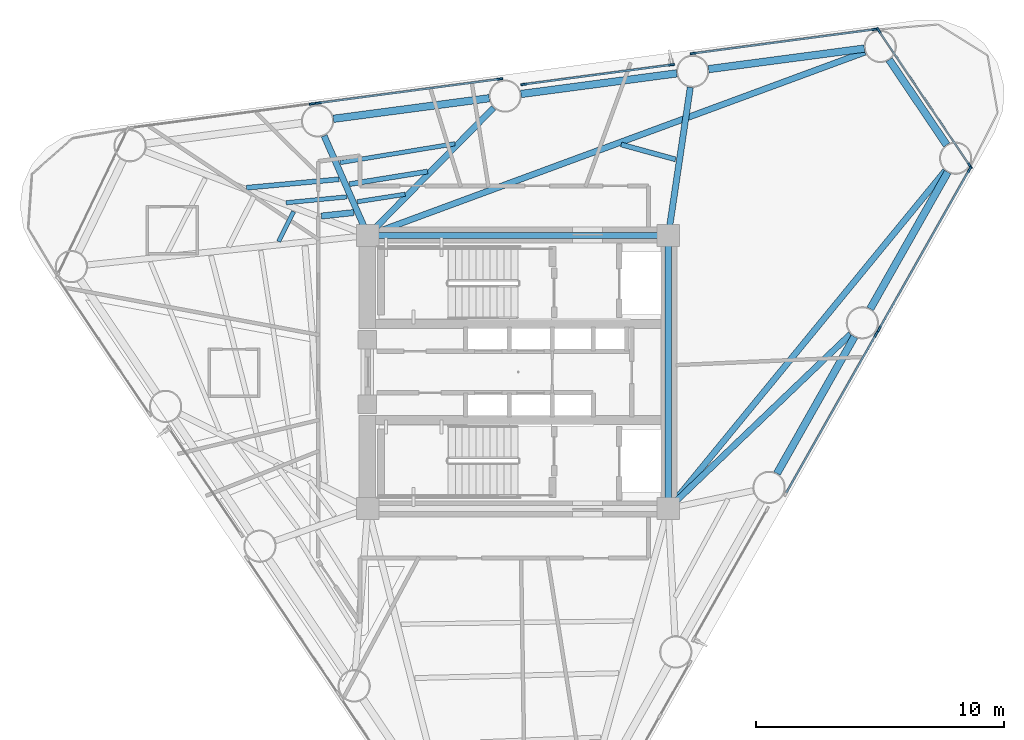
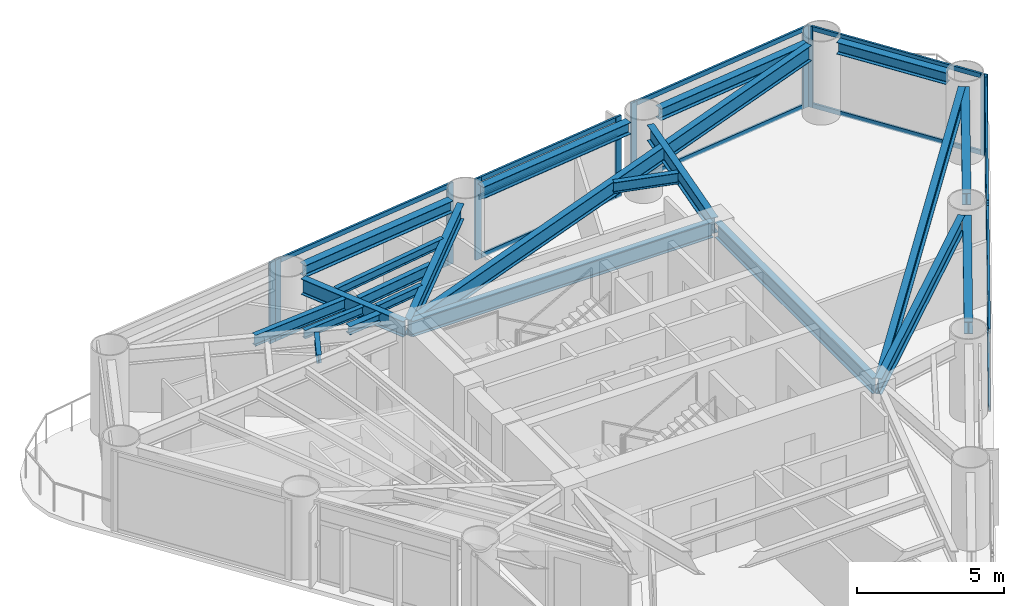
# One storey, part 3 of 10: 25 members, 22 beams, 7 elements without a shape of their own.
"""IFC4 building model written with IfcOpenShell, lengths in metres."""

from ifc_helpers import new_model, si_unit, direction, frame, origin, origin_2d, place, context, subcontext, project, spatial, rectangle, i_section, extrude, source, transform, mapped, material, layer, layer_set, material_profile, profile_set, type_object, element, aggregate, save


model = new_model("IFC4")

# Units and contexts
model_context = context("Model", 3, precision=1e-05, world=origin(), true_north=direction((0.0, 1.0)))
body_context = subcontext(model_context, "Body", "Model", "MODEL_VIEW")
ifc_project = project(units=[si_unit("LENGTHUNIT", "METRE"), si_unit("AREAUNIT", "SQUARE_METRE"), si_unit("VOLUMEUNIT", "CUBIC_METRE"), si_unit("PLANEANGLEUNIT", "RADIAN"), si_unit("MASSUNIT", "GRAM", prefix="KILO")], contexts=[model_context])

# Site, building, storey
site_placement = place(None, origin())
site = spatial("IfcSite", under=ifc_project, at=site_placement, CompositionType="ELEMENT")
building_placement = place(site_placement, origin())
building = spatial("IfcBuilding", under=site, at=building_placement, Name="Yunling Apex Tower", CompositionType="ELEMENT")
storey_placement = place(building_placement, frame((0.0, 0.0, 158.75)))
storey = spatial("IfcBuildingStorey", under=building, at=storey_placement, Name="L38", CompositionType="ELEMENT", Elevation=158.75)

# Beams
ifc_material_1 = material(Name="Steel Q355B", Category="steel")
ifc_material_profile_1 = material_profile(ifc_material_1, i_section(OverallWidth=0.25, OverallDepth=0.64990234375, WebThickness=0.011962890625, FlangeThickness=0.02001953125, FilletRadius=0.02392578125, at=origin_2d()))
ifc_profile_set_1 = profile_set([ifc_material_profile_1], Name="Steel Q355B")
beam_type_1 = type_object("IfcBeamType", Name="BG-PRI-4", PredefinedType="USERDEFINED", material=ifc_profile_set_1)
shared_shape_1 = source(origin(), body_context, "Body", "SweptSolid", [
    extrude(i_section(OverallWidth=0.25, OverallDepth=0.64990234375, WebThickness=0.011962890625, FlangeThickness=0.02001953125, FilletRadius=0.02392578125, at=origin_2d()), origin(), (0.0, 0.0, 1.0), 11.7998046875),
])
beam_1_placement = place(storey_placement, frame((5.89990234375, 5.5, 2.945068359375), z_axis=(-1.0, 0.0, 0.0), x_axis=(0.0, -1.0, 0.0)))
element("IfcBeam", 1, at=beam_1_placement, inside=storey, type_object=beam_type_1, Name="L38 Core Ring Tie Beam 3", ObjectType="GIRDER", PredefinedType="USERDEFINED", context=body_context, shape_type="MappedRepresentation", body=[
    mapped(shared_shape_1, transform((0.0, 0.0, 0.0), scale=1.0)),
])
shared_shape_2 = source(origin(), body_context, "Body", "SweptSolid", [
    extrude(i_section(OverallWidth=0.25, OverallDepth=0.64990234375, WebThickness=0.011962890625, FlangeThickness=0.02001953125, FilletRadius=0.02392578125, at=origin_2d()), origin(), (0.0, 0.0, 1.0), 10.7001953125),
])
beam_2_placement = place(storey_placement, frame((6.050048828125, -5.35009765625, 2.945068359375), z_axis=(0.0, 1.0, 0.0), x_axis=(-1.0, 0.0, 0.0)))
element("IfcBeam", 2, at=beam_2_placement, inside=storey, type_object=beam_type_1, Name="L38 Core Ring Tie Beam 2", ObjectType="GIRDER", PredefinedType="USERDEFINED", context=body_context, shape_type="MappedRepresentation", body=[
    mapped(shared_shape_2, transform((0.0, 0.0, 0.0), scale=1.0)),
])
ifc_material_profile_2 = material_profile(ifc_material_1, i_section(OverallWidth=0.300048828125, OverallDepth=0.489990234375, WebThickness=0.010986328125, FlangeThickness=0.01806640625, FilletRadius=0.02197265625, at=origin_2d()))
ifc_profile_set_2 = profile_set([ifc_material_profile_2], Name="Steel Q355B")
beam_type_2 = type_object("IfcBeamType", Name="BP-SPN-2", PredefinedType="SPANDREL", material=ifc_profile_set_2)
shared_shape_3 = source(origin(), body_context, "Body", "SweptSolid", [
    extrude(i_section(OverallWidth=0.300048828125, OverallDepth=0.489990234375, WebThickness=0.010986328125, FlangeThickness=0.01806640625, FilletRadius=0.02197265625, at=origin_2d()), origin(), (0.0, 0.0, 1.0), 6.332763671875),
])
beam_3_placement = place(storey_placement, frame((10.426513671875, -4.087646484375, 3.02490234375), z_axis=(0.493042725972, 0.870005097897, 0.0), x_axis=(-0.870005097897, 0.493042725972, 0.0)))
element("IfcBeam", 3, at=beam_3_placement, inside=storey, type_object=beam_type_2, Name="L38 Perimeter Spandrel Beam 3", PredefinedType="SPANDREL", context=body_context, shape_type="MappedRepresentation", body=[
    mapped(shared_shape_3, transform((0.0, 0.0, 0.0), scale=1.0)),
])
shared_shape_4 = source(origin(), body_context, "Body", "SweptSolid", [
    extrude(i_section(OverallWidth=0.300048828125, OverallDepth=0.489990234375, WebThickness=0.010986328125, FlangeThickness=0.01806640625, FilletRadius=0.02197265625, at=origin_2d()), origin(), (0.0, 0.0, 1.0), 6.33251953125),
])
for number, where, z_axis, x_axis, name in (
    (4, (14.183837890625, 2.54248046875, 3.02490234375), (0.493030081742, 0.870012263418, 0.0), (-0.870012263418, 0.493030081742, 0.0), "L38 Perimeter Spandrel Beam 4"),
    (5, (13.948486328125, 13.029541015625, 3.02490234375), (-0.991351373324, -0.131234349957, 0.0), (0.131234349957, -0.991351373324, 0.0), "L38 Perimeter Spandrel Beam 6"),
    (6, (6.393798828125, 12.029541015625, 3.02490234375), (-0.991351373324, -0.131234349957, 0.0), (0.131234349957, -0.991351373324, 0.0), "L38 Perimeter Spandrel Beam 7"),
    (7, (-1.160888671875, 11.029541015625, 3.02490234375), (-0.991356388343, -0.131196460665, 0.0), (0.131196460665, -0.991356388343, 0.0), "L38 Perimeter Spandrel Beam 8"),
):
    element("IfcBeam", number, at=place(storey_placement, frame(where, z_axis=z_axis, x_axis=x_axis)), inside=storey, type_object=beam_type_2, Name=name, PredefinedType="SPANDREL", context=body_context, shape_type="MappedRepresentation", body=[
        mapped(shared_shape_4, transform((0.0, 0.0, 0.0), scale=1.0)),
    ])
shared_shape_5 = source(origin(), body_context, "Body", "SweptSolid", [
    extrude(i_section(OverallWidth=0.300048828125, OverallDepth=0.489990234375, WebThickness=0.010986328125, FlangeThickness=0.01806640625, FilletRadius=0.02197265625, at=origin_2d()), origin(), (0.0, 0.0, 1.0), 4.142333984375),
])
beam_4_placement = place(storey_placement, frame((17.263427734375, 9.14599609375, 3.02490234375), z_axis=(-0.559207616177, 0.829027648519, 0.0), x_axis=(-0.829027648519, -0.559207616177, 0.0)))
element("IfcBeam", 8, at=beam_4_placement, inside=storey, type_object=beam_type_2, Name="L38 Perimeter Spandrel Beam 5", PredefinedType="SPANDREL", context=body_context, shape_type="MappedRepresentation", body=[
    mapped(shared_shape_5, transform((0.0, 0.0, 0.0), scale=1.0)),
])
shared_shape_6 = source(origin(), body_context, "Body", "SweptSolid", [
    extrude(i_section(OverallWidth=0.25, OverallDepth=0.64990234375, WebThickness=0.011962890625, FlangeThickness=0.02001953125, FilletRadius=0.02392578125, at=origin_2d()), origin(), (0.0, 0.0, 1.0), 10.08203125),
])
beam_5_placement = place(storey_placement, frame((13.39111328125, 1.527099609375, 2.945068359375), z_axis=(-0.722387273854, -0.691488703143, 0.0), x_axis=(0.691488703143, -0.722387273854, 0.0)))
element("IfcBeam", 9, at=beam_5_placement, inside=storey, type_object=beam_type_1, Name="L38 Radial Primary Girder R04", ObjectType="GIRDER", PredefinedType="USERDEFINED", context=body_context, shape_type="MappedRepresentation", body=[
    mapped(shared_shape_6, transform((0.0, 0.0, 0.0), scale=1.0)),
])
shared_shape_7 = source(origin(), body_context, "Body", "SweptSolid", [
    extrude(i_section(OverallWidth=0.25, OverallDepth=0.64990234375, WebThickness=0.011962890625, FlangeThickness=0.02001953125, FilletRadius=0.02392578125, at=origin_2d()), origin(), (0.0, 0.0, 1.0), 17.512939453125),
])
beam_6_placement = place(storey_placement, frame((17.206298828125, 8.103271484375, 2.945068359375), z_axis=(-0.634143770781, -0.773215156331, 0.0), x_axis=(0.773215156331, -0.634143770781, 0.0)))
element("IfcBeam", 10, at=beam_6_placement, inside=storey, type_object=beam_type_1, Name="L38 Radial Primary Girder R05", ObjectType="GIRDER", PredefinedType="USERDEFINED", context=body_context, shape_type="MappedRepresentation", body=[
    mapped(shared_shape_7, transform((0.0, 0.0, 0.0), scale=1.0)),
])
shared_shape_8 = source(origin(), body_context, "Body", "SweptSolid", [
    extrude(i_section(OverallWidth=0.25, OverallDepth=0.64990234375, WebThickness=0.011962890625, FlangeThickness=0.02001953125, FilletRadius=0.02392578125, at=origin_2d()), origin(), (0.0, 0.0, 1.0), 21.258544921875),
])
beam_7_placement = place(storey_placement, frame((13.969482421875, 12.88623046875, 2.945068359375), z_axis=(-0.938179289615, -0.346149708274, 0.0), x_axis=(0.346149708274, -0.938179289615, 0.0)))
element("IfcBeam", 11, at=beam_7_placement, inside=storey, type_object=beam_type_1, Name="L38 Radial Primary Girder R06", ObjectType="GIRDER", PredefinedType="USERDEFINED", context=body_context, shape_type="MappedRepresentation", body=[
    mapped(shared_shape_8, transform((0.0, 0.0, 0.0), scale=1.0)),
])
shared_shape_9 = source(origin(), body_context, "Body", "SweptSolid", [
    extrude(i_section(OverallWidth=0.25, OverallDepth=0.64990234375, WebThickness=0.011962890625, FlangeThickness=0.02001953125, FilletRadius=0.02392578125, at=origin_2d()), origin(), (0.0, 0.0, 1.0), 5.948486328125),
])
beam_8_placement = place(storey_placement, frame((6.935546875, 11.463134765625, 2.945068359375), z_axis=(-0.146889273353, -0.989152941346, 0.0), x_axis=(0.989152941346, -0.146889273353, 0.0)))
element("IfcBeam", 12, at=beam_8_placement, inside=storey, type_object=beam_type_1, Name="L38 Radial Primary Girder R07", ObjectType="GIRDER", PredefinedType="USERDEFINED", context=body_context, shape_type="MappedRepresentation", body=[
    mapped(shared_shape_9, transform((0.0, 0.0, 0.0), scale=1.0)),
])
shared_shape_10 = source(origin(), body_context, "Body", "SweptSolid", [
    extrude(i_section(OverallWidth=0.25, OverallDepth=0.64990234375, WebThickness=0.011962890625, FlangeThickness=0.02001953125, FilletRadius=0.02392578125, at=origin_2d()), origin(), (0.0, 0.0, 1.0), 7.140625),
])
beam_9_placement = place(storey_placement, frame((-0.984130859375, 10.645263671875, 2.945068359375), z_axis=(-0.701580749748, -0.712589960344, 0.0), x_axis=(0.712589960344, -0.701580749748, 0.0)))
element("IfcBeam", 13, at=beam_9_placement, inside=storey, type_object=beam_type_1, Name="L38 Radial Primary Girder R08", ObjectType="GIRDER", PredefinedType="USERDEFINED", context=body_context, shape_type="MappedRepresentation", body=[
    mapped(shared_shape_10, transform((0.0, 0.0, 0.0), scale=1.0)),
])
shared_shape_11 = source(origin(), body_context, "Body", "SweptSolid", [
    extrude(i_section(OverallWidth=0.25, OverallDepth=0.64990234375, WebThickness=0.011962890625, FlangeThickness=0.02001953125, FilletRadius=0.02392578125, at=origin_2d()), origin(), (0.0, 0.0, 1.0), 4.3017578125),
])
beam_10_placement = place(storey_placement, frame((-7.8125, 9.51171875, 2.945068359375), z_axis=(0.402211714237, -0.915546687466, 0.0), x_axis=(0.915546687466, 0.402211714237, 0.0)))
element("IfcBeam", 14, at=beam_10_placement, inside=storey, type_object=beam_type_1, Name="L38 Radial Primary Girder R09", ObjectType="GIRDER", PredefinedType="USERDEFINED", context=body_context, shape_type="MappedRepresentation", body=[
    mapped(shared_shape_11, transform((0.0, 0.0, 0.0), scale=1.0)),
])
ifc_material_profile_3 = material_profile(ifc_material_1, i_section(OverallWidth=0.199951171875, OverallDepth=0.449951171875, WebThickness=0.009033203125, FlangeThickness=0.013916015625, FilletRadius=0.01806640625, at=origin_2d()))
ifc_profile_set_3 = profile_set([ifc_material_profile_3], Name="Steel Q355B")
beam_type_3 = type_object("IfcBeamType", Name="BS-SEC-3", PredefinedType="BEAM", material=ifc_profile_set_3)
shared_shape_12 = source(origin(), body_context, "Body", "SweptSolid", [
    extrude(i_section(OverallWidth=0.199951171875, OverallDepth=0.449951171875, WebThickness=0.009033203125, FlangeThickness=0.013916015625, FilletRadius=0.01806640625, at=origin_2d()), origin(), (0.0, 0.0, 1.0), 2.2734375),
])
beam_11_placement = place(storey_placement, frame((4.151611328125, 9.16455078125, 3.044921875), z_axis=(0.964418538673, -0.264380185081, 0.0), x_axis=(0.264380185081, 0.964418538673, 0.0)))
element("IfcBeam", 15, at=beam_11_placement, inside=storey, type_object=beam_type_3, Name="L38 Composite Floor Beam BS-6", PredefinedType="BEAM", context=body_context, shape_type="MappedRepresentation", body=[
    mapped(shared_shape_12, transform((0.0, 0.0, 0.0), scale=1.0)),
])
shared_shape_13 = source(origin(), body_context, "Body", "SweptSolid", [
    extrude(i_section(OverallWidth=0.199951171875, OverallDepth=0.449951171875, WebThickness=0.009033203125, FlangeThickness=0.013916015625, FilletRadius=0.01806640625, at=origin_2d()), origin(), (0.0, 0.0, 1.0), 3.18310546875),
])
beam_12_placement = place(storey_placement, frame((-3.64697265625, 8.07568359375, 3.044921875), z_axis=(-0.987204533881, -0.159459111642, 0.0), x_axis=(0.159459111642, -0.987204533881, 0.0)))
element("IfcBeam", 16, at=beam_12_placement, inside=storey, type_object=beam_type_3, Name="L38 Composite Floor Beam BS-8", PredefinedType="BEAM", context=body_context, shape_type="MappedRepresentation", body=[
    mapped(shared_shape_13, transform((0.0, 0.0, 0.0), scale=1.0)),
])
ifc_material_profile_4 = material_profile(ifc_material_1, i_section(OverallWidth=0.175048828125, OverallDepth=0.35009765625, WebThickness=0.007080078125, FlangeThickness=0.010986328125, FilletRadius=0.013916015625, at=origin_2d()))
ifc_profile_set_4 = profile_set([ifc_material_profile_4], Name="Steel Q355B")
beam_type_4 = type_object("IfcBeamType", Name="BJ-JST-1", PredefinedType="JOIST", material=ifc_profile_set_4)
shared_shape_14 = source(origin(), body_context, "Body", "SweptSolid", [
    extrude(i_section(OverallWidth=0.175048828125, OverallDepth=0.35009765625, WebThickness=0.007080078125, FlangeThickness=0.010986328125, FilletRadius=0.013916015625, at=origin_2d()), origin(), (0.0, 0.0, 1.0), 4.6875),
])
beam_13_placement = place(storey_placement, frame((-2.544677734375, 9.194580078125, 3.094970703125), z_axis=(-0.986776909696, -0.162084331414, 0.0), x_axis=(0.162084331414, -0.986776909696, 0.0)))
element("IfcBeam", 17, at=beam_13_placement, inside=storey, type_object=beam_type_4, Name="L38 Composite Floor Joist BJ1-8", PredefinedType="JOIST", context=body_context, shape_type="MappedRepresentation", body=[
    mapped(shared_shape_14, transform((0.0, 0.0, 0.0), scale=1.0)),
])
shared_shape_15 = source(origin(), body_context, "Body", "SweptSolid", [
    extrude(i_section(OverallWidth=0.175048828125, OverallDepth=0.35009765625, WebThickness=0.007080078125, FlangeThickness=0.010986328125, FilletRadius=0.013916015625, at=origin_2d()), origin(), (0.0, 0.0, 1.0), 1.952392578125),
])
beam_14_placement = place(storey_placement, frame((-4.548828125, 7.160400390625, 3.094970703125), z_axis=(-0.98796490296, -0.154678216044, 0.0), x_axis=(0.154678216044, -0.98796490296, 0.0)))
element("IfcBeam", 18, at=beam_14_placement, inside=storey, type_object=beam_type_4, Name="L38 Composite Floor Joist BJ3-8", PredefinedType="JOIST", context=body_context, shape_type="MappedRepresentation", body=[
    mapped(shared_shape_15, transform((0.0, 0.0, 0.0), scale=1.0)),
])
shared_shape_16 = source(origin(), body_context, "Body", "SweptSolid", [
    extrude(i_section(OverallWidth=0.199951171875, OverallDepth=0.449951171875, WebThickness=0.009033203125, FlangeThickness=0.013916015625, FilletRadius=0.01806640625, at=origin_2d()), origin(), (0.0, 0.0, 1.0), 3.749755859375),
])
beam_15_placement = place(storey_placement, frame((-7.21044921875, 7.76416015625, 3.044921875), z_axis=(-0.995801444966, -0.091539511711, 0.0), x_axis=(0.091539511711, -0.995801444966, 0.0)))
element("IfcBeam", 19, at=beam_15_placement, inside=storey, type_object=beam_type_3, Name="L38 Composite Floor Beam BS-9", PredefinedType="BEAM", context=body_context, shape_type="MappedRepresentation", body=[
    mapped(shared_shape_16, transform((0.0, 0.0, 0.0), scale=1.0)),
])
shared_shape_17 = source(origin(), body_context, "Body", "SweptSolid", [
    extrude(i_section(OverallWidth=0.175048828125, OverallDepth=0.35009765625, WebThickness=0.007080078125, FlangeThickness=0.010986328125, FilletRadius=0.013916015625, at=origin_2d()), origin(), (0.0, 0.0, 1.0), 2.456787109375),
])
beam_16_placement = place(storey_placement, frame((-6.89892578125, 7.054443359375, 3.094970703125), z_axis=(-0.995362299538, -0.096197155147, 0.0), x_axis=(0.096197155147, -0.995362299538, 0.0)))
element("IfcBeam", 20, at=beam_16_placement, inside=storey, type_object=beam_type_4, Name="L38 Composite Floor Joist BJ3-9", PredefinedType="JOIST", context=body_context, shape_type="MappedRepresentation", body=[
    mapped(shared_shape_17, transform((0.0, 0.0, 0.0), scale=1.0)),
])
ifc_material_profile_5 = material_profile(ifc_material_1, i_section(OverallWidth=0.25, OverallDepth=0.340087890625, WebThickness=0.009033203125, FlangeThickness=0.013916015625, FilletRadius=0.01806640625, at=origin_2d()))
ifc_profile_set_5 = profile_set([ifc_material_profile_5], Name="Steel Q355B")
beam_type_5 = type_object("IfcBeamType", Name="BJ-JST-2", PredefinedType="JOIST", material=ifc_profile_set_5)
shared_shape_18 = source(origin(), body_context, "Body", "SweptSolid", [
    extrude(i_section(OverallWidth=0.25, OverallDepth=0.340087890625, WebThickness=0.009033203125, FlangeThickness=0.013916015625, FilletRadius=0.01806640625, at=origin_2d()), origin(), (0.0, 0.0, 1.0), 1.307373046875),
])
beam_17_placement = place(storey_placement, frame((-6.6220703125, 6.422607421875, 3.10009765625), z_axis=(-0.994297843948, -0.106638630521, 0.0), x_axis=(0.106638630521, -0.994297843948, 0.0)))
element("IfcBeam", 21, at=beam_17_placement, inside=storey, type_object=beam_type_5, Name="L38 Composite Floor Joist BJ2-9", PredefinedType="JOIST", context=body_context, shape_type="MappedRepresentation", body=[
    mapped(shared_shape_18, transform((0.0, 0.0, 0.0), scale=1.0)),
])
shared_shape_19 = source(origin(), body_context, "Body", "SweptSolid", [
    extrude(i_section(OverallWidth=0.175048828125, OverallDepth=0.35009765625, WebThickness=0.007080078125, FlangeThickness=0.010986328125, FilletRadius=0.013916015625, at=origin_2d()), origin(), (0.0, 0.0, 1.0), 1.34375),
])
beam_18_placement = place(storey_placement, frame((-9.0419921875, 6.45849609375, 3.094970703125), z_axis=(-0.448956972961, -0.893553376374, 0.0), x_axis=(0.893553376374, -0.448956972961, 0.0)))
element("IfcBeam", 22, at=beam_18_placement, inside=storey, type_object=beam_type_4, Name="L38 Composite Floor Joist BJ3-10", PredefinedType="JOIST", context=body_context, shape_type="MappedRepresentation", body=[
    mapped(shared_shape_19, transform((0.0, 0.0, 0.0), scale=1.0)),
])

# Curtain wall, member
ifc_material_2 = material(Name="Bronze anodised aluminium", Category="aluminium")
ifc_layer = layer(ifc_material_2, 0.239990234375)
ifc_layer_set = layer_set([ifc_layer], Name="Bronze anodised aluminium")
curtain_wall_type = type_object("IfcCurtainWallType", Name="CW-SYS-3", PredefinedType="NOTDEFINED", material=ifc_layer_set)
curtain_wall_1_placement = place(storey_placement, origin())
curtain_wall_1 = element("IfcCurtainWall", 23, at=curtain_wall_1_placement, inside=storey, type_object=curtain_wall_type, Name="CW-L38-F1-B3", PredefinedType="NOTDEFINED")
ifc_material_profile_6 = material_profile(ifc_material_2, rectangle(XDim=0.080078125, YDim=0.239990234375, at=origin_2d()))
ifc_profile_set_6 = profile_set([ifc_material_profile_6], Name="Bronze anodised aluminium")
member_type_1 = type_object("IfcMemberType", Name="CW-MUL-3", PredefinedType="MULLION", material=ifc_profile_set_6)
shared_shape_20 = source(origin(), body_context, "Body", "SweptSolid", [
    extrude(rectangle(XDim=0.080078125, YDim=0.239990234375, at=origin_2d()), origin(), (0.0, 0.0, 1.0), 3.3701171875),
])
member_1_placement = place(storey_placement, frame((14.4248046875, 1.527587890625, -0.050048828125), z_axis=(0.0, 0.0, 1.0), x_axis=(-0.870009345679, 0.493035230416, 0.0)))
member_1 = element("IfcMember", 24, at=member_1_placement, type_object=member_type_1, Name="CW-SYS-3 mullion 2", PredefinedType="MULLION", context=body_context, shape_type="MappedRepresentation", body=[
    mapped(shared_shape_20, transform((0.0, 0.0, 0.0), scale=1.0)),
])

# Curtain wall, members
curtain_wall_2_placement = place(storey_placement, origin())
curtain_wall_2 = element("IfcCurtainWall", 25, at=curtain_wall_2_placement, inside=storey, type_object=curtain_wall_type, Name="CW-L38-F1-B4", PredefinedType="NOTDEFINED")
member_2_placement = place(storey_placement, frame((14.543212890625, 1.736572265625, -0.050048828125), z_axis=(0.0, 0.0, 1.0), x_axis=(-0.870006087438, 0.493040979859, 0.0)))
member_2 = element("IfcMember", 26, at=member_2_placement, type_object=member_type_1, Name="CW-SYS-3 mullion 1", PredefinedType="MULLION", context=body_context, shape_type="MappedRepresentation", body=[
    mapped(shared_shape_20, transform((0.0, 0.0, 0.0), scale=1.0)),
])
member_3_placement = place(storey_placement, frame((18.18212890625, 8.15771484375, -0.050048828125), z_axis=(0.0, 0.0, 1.0), x_axis=(-0.870006087438, 0.493040979859, 0.0)))
member_3 = element("IfcMember", 27, at=member_3_placement, type_object=member_type_1, Name="CW-SYS-3 mullion 2", PredefinedType="MULLION", context=body_context, shape_type="MappedRepresentation", body=[
    mapped(shared_shape_20, transform((0.0, 0.0, 0.0), scale=1.0)),
])

curtain_wall_3_placement = place(storey_placement, origin())
curtain_wall_3 = element("IfcCurtainWall", 28, at=curtain_wall_3_placement, inside=storey, type_object=curtain_wall_type, Name="CW-L38-CRN1", PredefinedType="NOTDEFINED")
member_4_placement = place(storey_placement, frame((18.201416015625, 8.30517578125, -0.050048828125), z_axis=(0.0, 0.0, 1.0), x_axis=(-0.829037677921, -0.559192747259, 0.0)))
member_4 = element("IfcMember", 29, at=member_4_placement, type_object=member_type_1, Name="CW-SYS-3 mullion 1", PredefinedType="MULLION", context=body_context, shape_type="MappedRepresentation", body=[
    mapped(shared_shape_20, transform((0.0, 0.0, 0.0), scale=1.0)),
])
member_5_placement = place(storey_placement, frame((14.518798828125, 13.764892578125, -0.050048828125), z_axis=(0.0, 0.0, 1.0), x_axis=(-0.829037677921, -0.559192747259, 0.0)))
member_5 = element("IfcMember", 30, at=member_5_placement, type_object=member_type_1, Name="CW-SYS-3 mullion 2", PredefinedType="MULLION", context=body_context, shape_type="MappedRepresentation", body=[
    mapped(shared_shape_20, transform((0.0, 0.0, 0.0), scale=1.0)),
])

curtain_wall_4_placement = place(storey_placement, origin())
curtain_wall_4 = element("IfcCurtainWall", 31, at=curtain_wall_4_placement, inside=storey, type_object=curtain_wall_type, Name="CW-L38-F2-B1", PredefinedType="NOTDEFINED")
member_6_placement = place(storey_placement, frame((14.374755859375, 13.80224609375, -0.050048828125), z_axis=(0.0, 0.0, 1.0), x_axis=(0.131222473138, -0.991352945496, 0.0)))
member_6 = element("IfcMember", 32, at=member_6_placement, type_object=member_type_1, Name="CW-SYS-3 mullion 1", PredefinedType="MULLION", context=body_context, shape_type="MappedRepresentation", body=[
    mapped(shared_shape_20, transform((0.0, 0.0, 0.0), scale=1.0)),
])
member_7_placement = place(storey_placement, frame((7.05810546875, 12.833740234375, -0.050048828125), z_axis=(0.0, 0.0, 1.0), x_axis=(0.131222473138, -0.991352945496, 0.0)))
member_7 = element("IfcMember", 33, at=member_7_placement, type_object=member_type_1, Name="CW-SYS-3 mullion 2", PredefinedType="MULLION", context=body_context, shape_type="MappedRepresentation", body=[
    mapped(shared_shape_20, transform((0.0, 0.0, 0.0), scale=1.0)),
])

curtain_wall_5_placement = place(storey_placement, origin())
curtain_wall_5 = element("IfcCurtainWall", 34, at=curtain_wall_5_placement, inside=storey, type_object=curtain_wall_type, Name="CW-L38-F2-B2", PredefinedType="NOTDEFINED")
member_8_placement = place(storey_placement, frame((6.1806640625, 12.37451171875, -0.050048828125), z_axis=(0.0, 0.0, 1.0), x_axis=(0.131204916036, -0.99135526932, 0.0)))
member_8 = element("IfcMember", 35, at=member_8_placement, type_object=member_type_1, Name="CW-SYS-3 mullion 1", PredefinedType="MULLION", context=body_context, shape_type="MappedRepresentation", body=[
    mapped(shared_shape_20, transform((0.0, 0.0, 0.0), scale=1.0)),
])
member_9_placement = place(storey_placement, frame((0.23193359375, 11.587158203125, -0.050048828125), z_axis=(0.0, 0.0, 1.0), x_axis=(0.131204916036, -0.99135526932, 0.0)))
member_9 = element("IfcMember", 36, at=member_9_placement, type_object=member_type_1, Name="CW-SYS-3 mullion 2", PredefinedType="MULLION", context=body_context, shape_type="MappedRepresentation", body=[
    mapped(shared_shape_20, transform((0.0, 0.0, 0.0), scale=1.0)),
])

curtain_wall_6_placement = place(storey_placement, origin())
curtain_wall_6 = element("IfcCurtainWall", 37, at=curtain_wall_6_placement, inside=storey, type_object=curtain_wall_type, Name="CW-L38-F2-B3", PredefinedType="NOTDEFINED")
member_10_placement = place(storey_placement, frame((-0.734619140625, 11.80224609375, -0.050048828125), z_axis=(0.0, 0.0, 1.0), x_axis=(0.13120930019, -0.991354689071, 0.0)))
member_10 = element("IfcMember", 38, at=member_10_placement, type_object=member_type_1, Name="CW-SYS-3 mullion 1", PredefinedType="MULLION", context=body_context, shape_type="MappedRepresentation", body=[
    mapped(shared_shape_20, transform((0.0, 0.0, 0.0), scale=1.0)),
])
member_11_placement = place(storey_placement, frame((-8.05126953125, 10.833740234375, -0.050048828125), z_axis=(0.0, 0.0, 1.0), x_axis=(0.13120930019, -0.991354689071, 0.0)))
member_11 = element("IfcMember", 39, at=member_11_placement, type_object=member_type_1, Name="CW-SYS-3 mullion 2", PredefinedType="MULLION", context=body_context, shape_type="MappedRepresentation", body=[
    mapped(shared_shape_20, transform((0.0, 0.0, 0.0), scale=1.0)),
])

# Curtain wall, member
curtain_wall_7_placement = place(storey_placement, origin())
curtain_wall_7 = element("IfcCurtainWall", 40, at=curtain_wall_7_placement, inside=storey, type_object=curtain_wall_type, Name="CW-L38-F2-B4", PredefinedType="NOTDEFINED")
member_12_placement = place(storey_placement, frame((-8.289306640625, 10.80224609375, -0.050048828125), z_axis=(0.0, 0.0, 1.0), x_axis=(0.131222473138, -0.991352945496, 0.0)))
member_12 = element("IfcMember", 41, at=member_12_placement, type_object=member_type_1, Name="CW-SYS-3 mullion 1", PredefinedType="MULLION", context=body_context, shape_type="MappedRepresentation", body=[
    mapped(shared_shape_20, transform((0.0, 0.0, 0.0), scale=1.0)),
])
aggregate(curtain_wall_7, [member_12])

# Member
ifc_material_profile_7 = material_profile(ifc_material_2, rectangle(XDim=0.080078125, YDim=0.18505859375, at=origin_2d()))
ifc_profile_set_7 = profile_set([ifc_material_profile_7], Name="Bronze anodised aluminium")
member_type_2 = type_object("IfcMemberType", Name="CW-TRN-3", PredefinedType="USERDEFINED", material=ifc_profile_set_7)
shared_shape_21 = source(origin(), body_context, "Body", "SweptSolid", [
    extrude(rectangle(XDim=0.080078125, YDim=0.18505859375, at=origin_2d()), origin(), (0.0, 0.0, 1.0), 5.9287109375),
])
member_13_placement = place(storey_placement, frame((6.14501953125, 12.369873046875, 0.0400390625), z_axis=(-0.991356183804, -0.131198006214, 0.0), x_axis=(0.131198006214, -0.991356183804, 0.0)))
member_13 = element("IfcMember", 42, at=member_13_placement, type_object=member_type_2, Name="CW-SYS-3 transom 1.1", ObjectType="TRANSOM", PredefinedType="USERDEFINED", context=body_context, shape_type="MappedRepresentation", body=[
    mapped(shared_shape_21, transform((0.0, 0.0, 0.0), scale=1.0)),
])

member_14_placement = place(storey_placement, frame((6.14501953125, 12.369873046875, 2.485107421875), z_axis=(-0.991356183804, -0.131198006214, 0.0), x_axis=(0.131198006214, -0.991356183804, 0.0)))
member_14 = element("IfcMember", 43, at=member_14_placement, type_object=member_type_2, Name="CW-SYS-3 transom 1.2", ObjectType="TRANSOM", PredefinedType="USERDEFINED", context=body_context, shape_type="MappedRepresentation", body=[
    mapped(shared_shape_21, transform((0.0, 0.0, 0.0), scale=1.0)),
])

member_15_placement = place(storey_placement, frame((6.14501953125, 12.369873046875, 3.22998046875), z_axis=(-0.991356183804, -0.131198006214, 0.0), x_axis=(0.131198006214, -0.991356183804, 0.0)))
member_15 = element("IfcMember", 44, at=member_15_placement, type_object=member_type_2, Name="CW-SYS-3 transom 1.3", ObjectType="TRANSOM", PredefinedType="USERDEFINED", context=body_context, shape_type="MappedRepresentation", body=[
    mapped(shared_shape_21, transform((0.0, 0.0, 0.0), scale=1.0)),
])

aggregate(curtain_wall_5, [member_8, member_9, member_13, member_14, member_15])

shared_shape_22 = source(origin(), body_context, "Body", "SweptSolid", [
    extrude(rectangle(XDim=0.080078125, YDim=0.18505859375, at=origin_2d()), origin(), (0.0, 0.0, 1.0), 7.308837890625),
])
member_16_placement = place(storey_placement, frame((10.8037109375, -4.8623046875, 0.0400390625), z_axis=(0.493042070546, 0.870005469334, 0.0), x_axis=(-0.870005469334, 0.493042070546, 0.0)))
member_16 = element("IfcMember", 45, at=member_16_placement, type_object=member_type_2, Name="CW-SYS-3 transom 1.1", ObjectType="TRANSOM", PredefinedType="USERDEFINED", context=body_context, shape_type="MappedRepresentation", body=[
    mapped(shared_shape_22, transform((0.0, 0.0, 0.0), scale=1.0)),
])

member_17_placement = place(storey_placement, frame((10.8037109375, -4.8623046875, 3.22998046875), z_axis=(0.493042070546, 0.870005469334, 0.0), x_axis=(-0.870005469334, 0.493042070546, 0.0)))
member_17 = element("IfcMember", 46, at=member_17_placement, type_object=member_type_2, Name="CW-SYS-3 transom 1.2", ObjectType="TRANSOM", PredefinedType="USERDEFINED", context=body_context, shape_type="MappedRepresentation", body=[
    mapped(shared_shape_22, transform((0.0, 0.0, 0.0), scale=1.0)),
])

aggregate(curtain_wall_1, [member_1, member_16, member_17])

member_18_placement = place(storey_placement, frame((14.560791015625, 1.767822265625, 0.0400390625), z_axis=(0.493042070546, 0.870005469334, 0.0), x_axis=(-0.870005469334, 0.493042070546, 0.0)))
member_18 = element("IfcMember", 47, at=member_18_placement, type_object=member_type_2, Name="CW-SYS-3 transom 1.1", ObjectType="TRANSOM", PredefinedType="USERDEFINED", context=body_context, shape_type="MappedRepresentation", body=[
    mapped(shared_shape_22, transform((0.0, 0.0, 0.0), scale=1.0)),
])

member_19_placement = place(storey_placement, frame((14.560791015625, 1.767822265625, 3.22998046875), z_axis=(0.493042070546, 0.870005469334, 0.0), x_axis=(-0.870005469334, 0.493042070546, 0.0)))
member_19 = element("IfcMember", 48, at=member_19_placement, type_object=member_type_2, Name="CW-SYS-3 transom 1.2", ObjectType="TRANSOM", PredefinedType="USERDEFINED", context=body_context, shape_type="MappedRepresentation", body=[
    mapped(shared_shape_22, transform((0.0, 0.0, 0.0), scale=1.0)),
])

aggregate(curtain_wall_2, [member_2, member_3, member_18, member_19])

shared_shape_23 = source(origin(), body_context, "Body", "SweptSolid", [
    extrude(rectangle(XDim=0.080078125, YDim=0.18505859375, at=origin_2d()), origin(), (0.0, 0.0, 1.0), 6.513916015625),
])
member_20_placement = place(storey_placement, frame((18.181396484375, 8.3349609375, 0.0400390625), z_axis=(-0.559206971542, 0.829028083347, 0.0), x_axis=(-0.829028083347, -0.559206971542, 0.0)))
member_20 = element("IfcMember", 49, at=member_20_placement, type_object=member_type_2, Name="CW-SYS-3 transom 1.1", ObjectType="TRANSOM", PredefinedType="USERDEFINED", context=body_context, shape_type="MappedRepresentation", body=[
    mapped(shared_shape_23, transform((0.0, 0.0, 0.0), scale=1.0)),
])

member_21_placement = place(storey_placement, frame((18.181396484375, 8.3349609375, 3.22998046875), z_axis=(-0.559206971542, 0.829028083347, 0.0), x_axis=(-0.829028083347, -0.559206971542, 0.0)))
member_21 = element("IfcMember", 50, at=member_21_placement, type_object=member_type_2, Name="CW-SYS-3 transom 1.2", ObjectType="TRANSOM", PredefinedType="USERDEFINED", context=body_context, shape_type="MappedRepresentation", body=[
    mapped(shared_shape_23, transform((0.0, 0.0, 0.0), scale=1.0)),
])

aggregate(curtain_wall_3, [member_4, member_5, member_20, member_21])

shared_shape_24 = source(origin(), body_context, "Body", "SweptSolid", [
    extrude(rectangle(XDim=0.080078125, YDim=0.18505859375, at=origin_2d()), origin(), (0.0, 0.0, 1.0), 7.30859375),
])
member_22_placement = place(storey_placement, frame((14.339111328125, 13.79736328125, 0.0400390625), z_axis=(-0.991354063091, -0.131214029714, 0.0), x_axis=(0.131214029714, -0.991354063091, 0.0)))
member_22 = element("IfcMember", 51, at=member_22_placement, type_object=member_type_2, Name="CW-SYS-3 transom 1.1", ObjectType="TRANSOM", PredefinedType="USERDEFINED", context=body_context, shape_type="MappedRepresentation", body=[
    mapped(shared_shape_24, transform((0.0, 0.0, 0.0), scale=1.0)),
])

member_23_placement = place(storey_placement, frame((14.339111328125, 13.79736328125, 3.22998046875), z_axis=(-0.991354063091, -0.131214029714, 0.0), x_axis=(0.131214029714, -0.991354063091, 0.0)))
member_23 = element("IfcMember", 52, at=member_23_placement, type_object=member_type_2, Name="CW-SYS-3 transom 1.2", ObjectType="TRANSOM", PredefinedType="USERDEFINED", context=body_context, shape_type="MappedRepresentation", body=[
    mapped(shared_shape_24, transform((0.0, 0.0, 0.0), scale=1.0)),
])

aggregate(curtain_wall_4, [member_6, member_7, member_22, member_23])

member_24_placement = place(storey_placement, frame((-0.770263671875, 11.797607421875, 0.0400390625), z_axis=(-0.991354063091, -0.131214029714, 0.0), x_axis=(0.131214029714, -0.991354063091, 0.0)))
member_24 = element("IfcMember", 53, at=member_24_placement, type_object=member_type_2, Name="CW-SYS-3 transom 1.1", ObjectType="TRANSOM", PredefinedType="USERDEFINED", context=body_context, shape_type="MappedRepresentation", body=[
    mapped(shared_shape_24, transform((0.0, 0.0, 0.0), scale=1.0)),
])

member_25_placement = place(storey_placement, frame((-0.770263671875, 11.797607421875, 3.22998046875), z_axis=(-0.991354063091, -0.131214029714, 0.0), x_axis=(0.131214029714, -0.991354063091, 0.0)))
member_25 = element("IfcMember", 54, at=member_25_placement, type_object=member_type_2, Name="CW-SYS-3 transom 1.2", ObjectType="TRANSOM", PredefinedType="USERDEFINED", context=body_context, shape_type="MappedRepresentation", body=[
    mapped(shared_shape_24, transform((0.0, 0.0, 0.0), scale=1.0)),
])

aggregate(curtain_wall_6, [member_10, member_11, member_24, member_25])

save(model, "model.ifc")
